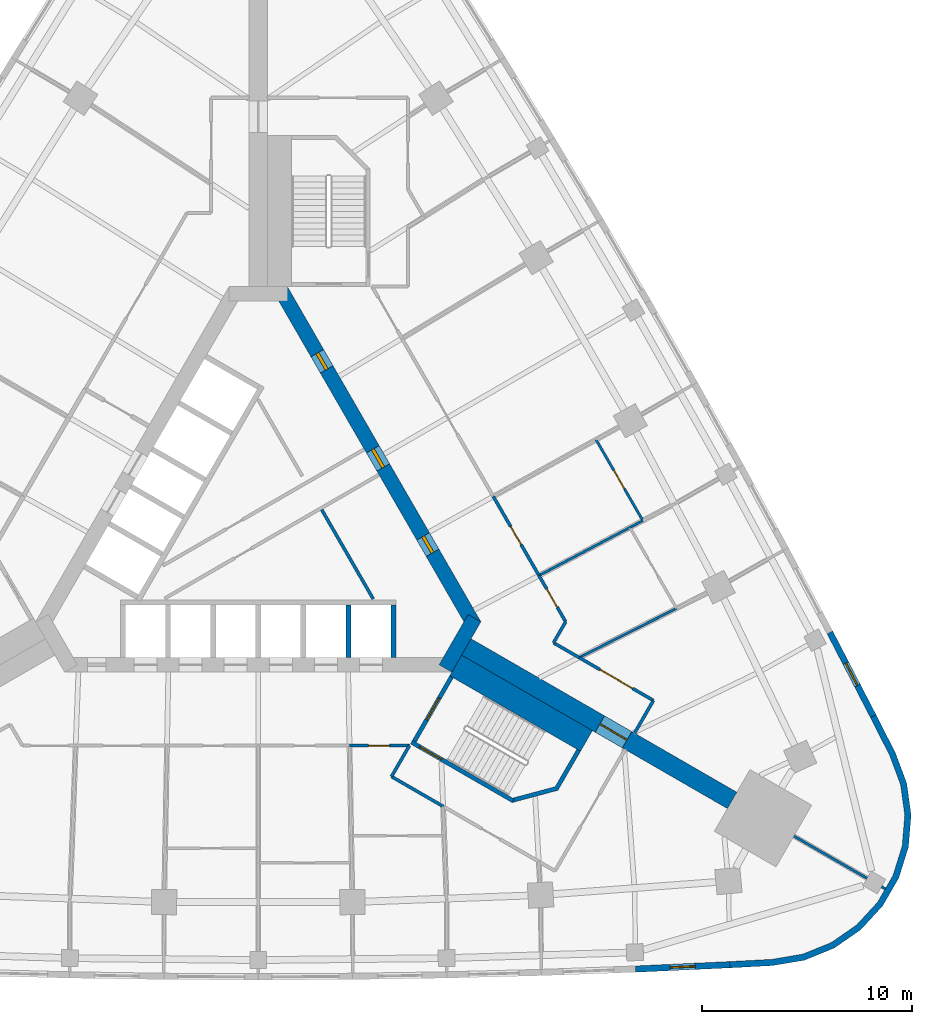
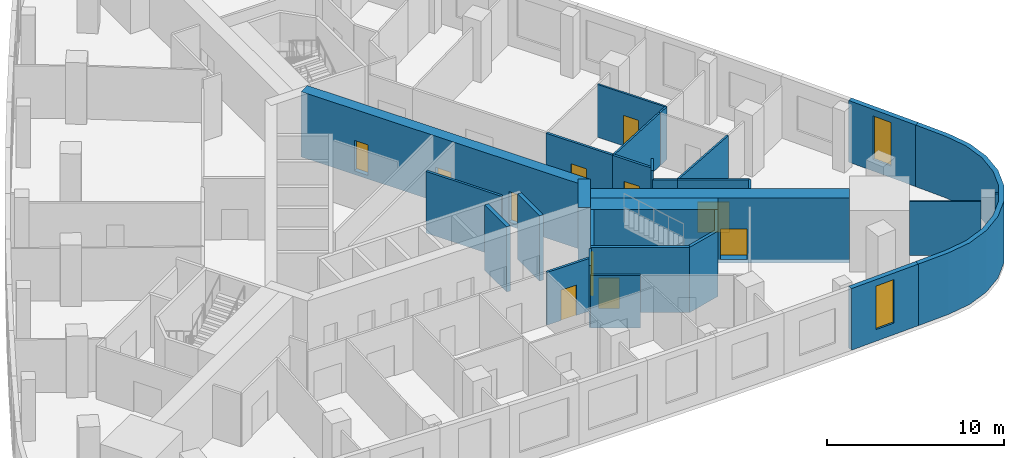
# One storey, part 7 of 11: 28 walls, 11 doors, 2 windows, 13 openings.
"""IFC4 building model written with IfcOpenShell, lengths in metres."""

from ifc_helpers import new_model, si_unit, direction, frame, frame_2d, origin, place, context, subcontext, project, spatial, polyline, rectangle, outline, extrude, material, layer, layer_set, type_object, element, fill, save


model = new_model("IFC4")

# Units and contexts
model_context = context("Model", 3, precision=1e-05, world=origin(), true_north=direction((0.0, 1.0)))
body_context = subcontext(model_context, "Body", "Model", "MODEL_VIEW")
ifc_project = project(units=[si_unit("LENGTHUNIT", "METRE"), si_unit("AREAUNIT", "SQUARE_METRE"), si_unit("VOLUMEUNIT", "CUBIC_METRE"), si_unit("PLANEANGLEUNIT", "RADIAN"), si_unit("MASSUNIT", "GRAM", prefix="KILO")], contexts=[model_context])

# Site, building, storey
site_placement = place(None, origin())
site = spatial("IfcSite", under=ifc_project, at=site_placement, CompositionType="ELEMENT")
building_placement = place(site_placement, origin())
building = spatial("IfcBuilding", under=site, at=building_placement, Name="Noor Cloister Tower", CompositionType="ELEMENT")
storey_placement = place(building_placement, frame((0.0, 0.0, 15.0)))
storey = spatial("IfcBuildingStorey", under=building, at=storey_placement, Name="L03", CompositionType="ELEMENT", Elevation=15.0)

# Wall, opening, door
ifc_material_1 = material(Name="Concrete C80/95", Category="concrete")
ifc_layer_1 = layer(ifc_material_1, 0.89990234375)
ifc_layer_set_1 = layer_set([ifc_layer_1], Name="Buttress wall 900 C80/95")
wall_type_1 = type_object("IfcWallType", Name="Buttress wall 900 C80/95", PredefinedType="SHEAR", material=ifc_layer_set_1)
wall_1_placement = place(storey_placement, frame((9.921630859375, -5.728271484375, -0.25), z_axis=(0.0, 0.0, 1.0), x_axis=(0.866028046028, -0.499995423472, 0.0)))
wall_1 = element("IfcWall", 1, at=wall_1_placement, inside=storey, type_object=wall_type_1, Name="Buttress wall SE L03", PredefinedType="SHEAR", context=body_context, shape_type="SweptSolid", body=[
    extrude(rectangle(XDim=14.632568359375, YDim=0.89990234375, at=frame_2d((7.31640625, 0.0))), origin(), (0.0, 0.0, 1.0), 4.5),
])
opening_1_placement = place(wall_1_placement, frame((7.35009765625, 0.0, 0.25)))
opening_1 = element("IfcOpeningElement", 2, at=opening_1_placement, cuts=wall_1, Name="Opening L03-030", PredefinedType="OPENING", context=body_context, shape_type="SweptSolid", body=[
    extrude(rectangle(XDim=1.5, YDim=2.10009765625, at=frame_2d((0.75, 1.050048828125))), frame((0.0, 0.4599609375, 0.0), z_axis=(0.0, -1.0, 0.0), x_axis=(1.0, 0.0, 0.0)), (0.0, 0.0, 1.0), 0.919921875),
])
ifc_material_2 = material(Name="Steel fire door", Category="steel")
door_type_1 = type_object("IfcDoorType", Name="Smoke barrier door FD60 1500", OperationType="DOUBLE_DOOR_SINGLE_SWING", PredefinedType="DOOR", material=ifc_material_2)
door_1_placement = place(opening_1_placement, origin())
door_1 = element("IfcDoor", 3, at=door_1_placement, inside=storey, type_object=door_type_1, Name="Door L03-030", OperationType="DOUBLE_DOOR_SINGLE_SWING", OverallHeight=2.10009765625, OverallWidth=1.5, PredefinedType="DOOR", context=body_context, shape_type="SweptSolid", body=[
    extrude(rectangle(XDim=1.5, YDim=2.10009765625, at=frame_2d((0.75, 1.050048828125))), frame((0.0, 0.02490234375, 0.0), z_axis=(0.0, -1.0, 0.0), x_axis=(1.0, 0.0, 0.0)), (0.0, 0.0, 1.0), 0.050048828125),
])
fill(opening_1, door_1)

# Walls
ifc_material_3 = material(Name="Concrete C30/37", Category="concrete")
ifc_layer_2 = layer(ifc_material_3, 0.14990234375)
ifc_layer_set_2 = layer_set([ifc_layer_2], Name="Core partition 150 C30/37")
wall_type_2 = type_object("IfcWallType", Name="Core partition 150 C30/37", PredefinedType="PARTITIONING", material=ifc_layer_set_2)
wall_2_placement = place(storey_placement, frame((5.482421875, -3.439208984375, 0.0), z_axis=(0.0, 0.0, 1.0), x_axis=(-0.500006183238, 0.866021833861, 0.0)))
element("IfcWall", 4, at=wall_2_placement, inside=storey, type_object=wall_type_2, Name="Core room partition L03 4", PredefinedType="PARTITIONING", context=body_context, shape_type="SweptSolid", body=[
    extrude(rectangle(XDim=4.916015625, YDim=0.14990234375, at=frame_2d((2.4580078125, 0.0))), origin(), (0.0, 0.0, 1.0), 4.25),
])
ifc_material_4 = material(Name="Concrete C80/95", Category="concrete")
ifc_layer_3 = layer(ifc_material_4, 0.699951171875)
ifc_layer_set_3 = layer_set([ifc_layer_3], Name="Core wall 700 C80/95")
wall_type_3 = type_object("IfcWallType", Name="Core wall 700 C80/95", PredefinedType="SHEAR", material=ifc_layer_set_3)
wall_3_placement = place(storey_placement, frame((8.925537109375, -6.753173828125, -0.25), z_axis=(0.0, 0.0, 1.0), x_axis=(0.500042739161, 0.866000726912, 0.0)))
element("IfcWall", 5, at=wall_3_placement, inside=storey, type_object=wall_type_3, Name="Core wall L03 2", PredefinedType="SHEAR", context=body_context, shape_type="SweptSolid", body=[
    extrude(rectangle(XDim=2.771240234375, YDim=0.699951171875, at=frame_2d((1.3857421875, 0.0))), origin(), (0.0, 0.0, 1.0), 4.5),
])

# Wall, openings, doors
wall_4_placement = place(storey_placement, frame((10.311279296875, -4.703125, -0.25), z_axis=(0.0, 0.0, 1.0), x_axis=(-0.500001446645, 0.866024568562, 0.0)))
wall_4 = element("IfcWall", 6, at=wall_4_placement, inside=storey, type_object=wall_type_3, Name="Core wall L03 3", PredefinedType="SHEAR", context=body_context, shape_type="SweptSolid", body=[
    extrude(rectangle(XDim=18.45751953125, YDim=0.699951171875, at=frame_2d((9.228759765625, 0.0))), origin(), (0.0, 0.0, 1.0), 4.5),
])
opening_2_placement = place(wall_4_placement, frame((8.699951171875, 0.0, 0.25)))
opening_2 = element("IfcOpeningElement", 7, at=opening_2_placement, cuts=wall_4, Name="Opening L03-901", PredefinedType="OPENING", context=body_context, shape_type="SweptSolid", body=[
    extrude(rectangle(XDim=1.0, YDim=2.10009765625, at=frame_2d((0.5, 1.050048828125))), frame((0.0, 0.35986328125, 0.0), z_axis=(0.0, -1.0, 0.0), x_axis=(1.0, 0.0, 0.0)), (0.0, 0.0, 1.0), 0.719970703125),
])
opening_3_placement = place(wall_4_placement, frame((4.001953125, 0.0, 0.25)))
opening_3 = element("IfcOpeningElement", 8, at=opening_3_placement, cuts=wall_4, Name="Opening L03-902", PredefinedType="OPENING", context=body_context, shape_type="SweptSolid", body=[
    extrude(rectangle(XDim=0.89990234375, YDim=2.10009765625, at=frame_2d((0.449951171875, 1.050048828125))), frame((0.0, 0.35986328125, 0.0), z_axis=(0.0, -1.0, 0.0), x_axis=(1.0, 0.0, 0.0)), (0.0, 0.0, 1.0), 0.719970703125),
])
opening_4_placement = place(wall_4_placement, frame((14.093017578125, 0.0, 0.25)))
opening_4 = element("IfcOpeningElement", 9, at=opening_4_placement, cuts=wall_4, Name="Opening L03-903", PredefinedType="OPENING", context=body_context, shape_type="SweptSolid", body=[
    extrude(rectangle(XDim=0.89990234375, YDim=2.10009765625, at=frame_2d((0.449951171875, 1.050048828125))), frame((0.0, 0.35986328125, 0.0), z_axis=(0.0, -1.0, 0.0), x_axis=(1.0, 0.0, 0.0)), (0.0, 0.0, 1.0), 0.719970703125),
])
ifc_material_5 = material(Name="Steel", Category="steel")
door_type_2 = type_object("IfcDoorType", Name="Core door 1000 x 2100 FD120", OperationType="SINGLE_SWING_LEFT", PredefinedType="DOOR", material=ifc_material_5)
door_2_placement = place(opening_2_placement, origin())
door_2 = element("IfcDoor", 10, at=door_2_placement, inside=storey, type_object=door_type_2, Name="Core door 1 L03", OperationType="SINGLE_SWING_LEFT", OverallHeight=2.10009765625, OverallWidth=1.0, PredefinedType="DOOR", context=body_context, shape_type="SweptSolid", body=[
    extrude(rectangle(XDim=1.0, YDim=2.10009765625, at=frame_2d((0.5, 1.050048828125))), frame((0.0, 0.074951171875, 0.0), z_axis=(0.0, -1.0, 0.0), x_axis=(1.0, 0.0, 0.0)), (0.0, 0.0, 1.0), 0.14990234375),
])
fill(opening_2, door_2)
ifc_material_6 = material(Name="Steel", Category="steel")
door_type_3 = type_object("IfcDoorType", Name="Core door 900 x 2100 FD120", OperationType="SINGLE_SWING_LEFT", PredefinedType="DOOR", material=ifc_material_6)
door_3_placement = place(opening_3_placement, origin())
door_3 = element("IfcDoor", 11, at=door_3_placement, inside=storey, type_object=door_type_3, Name="Core door 2 L03", OperationType="SINGLE_SWING_RIGHT", OverallHeight=2.10009765625, OverallWidth=0.89990234375, PredefinedType="DOOR", context=body_context, shape_type="SweptSolid", body=[
    extrude(rectangle(XDim=0.89990234375, YDim=2.10009765625, at=frame_2d((0.449951171875, 1.050048828125))), frame((0.0, 0.074951171875, 0.0), z_axis=(0.0, -1.0, 0.0), x_axis=(1.0, 0.0, 0.0)), (0.0, 0.0, 1.0), 0.14990234375),
])
fill(opening_3, door_3)
door_4_placement = place(opening_4_placement, origin())
door_4 = element("IfcDoor", 12, at=door_4_placement, inside=storey, type_object=door_type_3, Name="Core door 3 L03", OperationType="SINGLE_SWING_LEFT", OverallHeight=2.10009765625, OverallWidth=0.89990234375, PredefinedType="DOOR", context=body_context, shape_type="SweptSolid", body=[
    extrude(rectangle(XDim=0.89990234375, YDim=2.10009765625, at=frame_2d((0.449951171875, 1.050048828125))), frame((0.0, 0.074951171875, 0.0), z_axis=(0.0, -1.0, 0.0), x_axis=(1.0, 0.0, 0.0)), (0.0, 0.0, 1.0), 0.14990234375),
])
fill(opening_4, door_4)

# Walls
ifc_material_7 = material(Name="Plasterboard on steel studs", Category="steel")
ifc_layer_4 = layer(ifc_material_7, 0.14990234375)
ifc_layer_set_4 = layer_set([ifc_layer_4], Name="Corridor wall 150")
wall_type_4 = type_object("IfcWallType", Name="Corridor wall 150", PredefinedType="PARTITIONING", material=ifc_layer_set_4)
wall_5_placement = place(storey_placement, frame((8.81689453125, -13.330078125, 0.0), z_axis=(0.0, 0.0, 1.0), x_axis=(-0.865999736111, 0.50004445508, 0.0)))
element("IfcWall", 13, at=wall_5_placement, inside=storey, type_object=wall_type_4, Name="Partition", PredefinedType="PARTITIONING", context=body_context, shape_type="SweptSolid", body=[
    extrude(rectangle(XDim=2.843994140625, YDim=0.14990234375, at=frame_2d((1.421875, 0.0))), origin(), (0.0, 0.0, 1.0), 3.637939453125),
])
wall_6_placement = place(storey_placement, frame((6.35400390625, -11.906005859375, 0.0), z_axis=(0.0, 0.0, 1.0), x_axis=(0.500539815233, 0.865713516913, 0.0)))
element("IfcWall", 14, at=wall_6_placement, inside=storey, type_object=wall_type_4, Name="Partition", PredefinedType="PARTITIONING", context=body_context, shape_type="SweptSolid", body=[
    extrude(rectangle(XDim=1.7060546875, YDim=0.14990234375, at=frame_2d((0.85302734375, 0.0))), origin(), (0.0, 0.0, 1.0), 4.25),
])

# Wall, opening, door
wall_7_placement = place(storey_placement, frame((7.2080078125, -10.427978515625, 0.0), z_axis=(0.0, 0.0, 1.0), x_axis=(-1.0, 0.0, 0.0)))
wall_7 = element("IfcWall", 15, at=wall_7_placement, inside=storey, type_object=wall_type_4, Name="Partition", PredefinedType="PARTITIONING", context=body_context, shape_type="SweptSolid", body=[
    extrude(rectangle(XDim=2.861083984375, YDim=0.14990234375, at=frame_2d((1.4306640625, 0.0))), origin(), (0.0, 0.0, 1.0), 3.637939453125),
])
opening_5_placement = place(wall_7_placement, frame((0.949951171875, 0.0, 0.0)))
opening_5 = element("IfcOpeningElement", 16, at=opening_5_placement, cuts=wall_7, Name="Opening L03-011", PredefinedType="OPENING", context=body_context, shape_type="SweptSolid", body=[
    extrude(rectangle(XDim=1.0, YDim=2.10009765625, at=frame_2d((0.5, 1.050048828125))), frame((0.0, 0.0849609375, 0.0), z_axis=(0.0, -1.0, 0.0), x_axis=(1.0, 0.0, 0.0)), (0.0, 0.0, 1.0), 0.169921875),
])
ifc_material_8 = material(Name="Timber door leaf", Category="wood")
door_type_4 = type_object("IfcDoorType", Name="Clinic room door 1000", OperationType="SINGLE_SWING_LEFT", PredefinedType="DOOR", material=ifc_material_8)
door_5_placement = place(opening_5_placement, origin())
door_5 = element("IfcDoor", 17, at=door_5_placement, inside=storey, type_object=door_type_4, Name="Door L03-011", OperationType="SINGLE_SWING_RIGHT", OverallHeight=2.10009765625, OverallWidth=1.0, PredefinedType="DOOR", context=body_context, shape_type="SweptSolid", body=[
    extrude(rectangle(XDim=1.0, YDim=2.10009765625, at=frame_2d((0.5, 1.050048828125))), frame((0.0, 0.02490234375, 0.0), z_axis=(0.0, -1.0, 0.0), x_axis=(1.0, 0.0, 0.0)), (0.0, 0.0, 1.0), 0.050048828125),
])
fill(opening_5, door_5)

wall_8_placement = place(storey_placement, frame((15.294921875, -6.23193359375, 0.0), z_axis=(0.0, 0.0, 1.0), x_axis=(0.865991915229, -0.500057999394, 0.0)))
wall_8 = element("IfcWall", 18, at=wall_8_placement, inside=storey, type_object=wall_type_4, Name="Partition", PredefinedType="PARTITIONING", context=body_context, shape_type="SweptSolid", body=[
    extrude(rectangle(XDim=4.09375, YDim=0.14990234375, at=frame_2d((2.046875, 0.0))), origin(), (0.0, 0.0, 1.0), 3.637939453125),
])
opening_6_placement = place(wall_8_placement, frame((1.14990234375, 0.0, 0.0)))
opening_6 = element("IfcOpeningElement", 19, at=opening_6_placement, cuts=wall_8, Name="Opening L03-013", PredefinedType="OPENING", context=body_context, shape_type="SweptSolid", body=[
    extrude(rectangle(XDim=1.800048828125, YDim=2.10009765625, at=frame_2d((0.89990234375, 1.050048828125))), frame((0.0, 0.0849609375, 0.0), z_axis=(0.0, -1.0, 0.0), x_axis=(1.0, 0.0, 0.0)), (0.0, 0.0, 1.0), 0.169921875),
])
ifc_material_9 = material(Name="Timber door leaf", Category="wood")
door_type_5 = type_object("IfcDoorType", Name="Double leaf door 1800", OperationType="DOUBLE_DOOR_SINGLE_SWING", PredefinedType="DOOR", material=ifc_material_9)
door_6_placement = place(opening_6_placement, origin())
door_6 = element("IfcDoor", 20, at=door_6_placement, inside=storey, type_object=door_type_5, Name="Door L03-013", OperationType="DOUBLE_DOOR_SINGLE_SWING", OverallHeight=2.10009765625, OverallWidth=1.800048828125, PredefinedType="DOOR", context=body_context, shape_type="SweptSolid", body=[
    extrude(rectangle(XDim=1.800048828125, YDim=2.10009765625, at=frame_2d((0.89990234375, 1.050048828125))), frame((0.0, 0.02490234375, 0.0), z_axis=(0.0, -1.0, 0.0), x_axis=(1.0, 0.0, 0.0)), (0.0, 0.0, 1.0), 0.050048828125),
])
fill(opening_6, door_6)

# Wall
wall_9_placement = place(storey_placement, frame((18.840087890625, -8.281005859375, 0.0), z_axis=(0.0, 0.0, 1.0), x_axis=(-0.500126010714, -0.86595263924, 0.0)))
element("IfcWall", 21, at=wall_9_placement, inside=storey, type_object=wall_type_4, Name="Partition", PredefinedType="PARTITIONING", context=body_context, shape_type="SweptSolid", body=[
    extrude(rectangle(XDim=1.7978515625, YDim=0.14990234375, at=frame_2d((0.89892578125, 0.0))), origin(), (0.0, 0.0, 1.0), 3.637939453125),
])

# Wall, opening, door
wall_10_placement = place(storey_placement, frame((13.383056640625, -2.321044921875, 0.0), z_axis=(0.0, 0.0, 1.0), x_axis=(0.499788837842, -0.866147283993, 0.0)))
wall_10 = element("IfcWall", 22, at=wall_10_placement, inside=storey, type_object=wall_type_4, Name="Partition", PredefinedType="PARTITIONING", context=body_context, shape_type="SweptSolid", body=[
    extrude(rectangle(XDim=2.546875, YDim=0.14990234375, at=frame_2d((1.2734375, 0.0))), origin(), (0.0, 0.0, 1.0), 3.637939453125),
])
opening_7_placement = place(wall_10_placement, frame((0.75, 0.0, 0.0)))
opening_7 = element("IfcOpeningElement", 23, at=opening_7_placement, cuts=wall_10, Name="Opening L03-014", PredefinedType="OPENING", context=body_context, shape_type="SweptSolid", body=[
    extrude(rectangle(XDim=1.0, YDim=2.10009765625, at=frame_2d((0.5, 1.050048828125))), frame((0.0, 0.0849609375, 0.0), z_axis=(0.0, -1.0, 0.0), x_axis=(1.0, 0.0, 0.0)), (0.0, 0.0, 1.0), 0.169921875),
])
door_7_placement = place(opening_7_placement, origin())
door_7 = element("IfcDoor", 24, at=door_7_placement, inside=storey, type_object=door_type_4, Name="Door L03-014", OperationType="SINGLE_SWING_LEFT", OverallHeight=2.10009765625, OverallWidth=1.0, PredefinedType="DOOR", context=body_context, shape_type="SweptSolid", body=[
    extrude(rectangle(XDim=1.0, YDim=2.10009765625, at=frame_2d((0.5, 1.050048828125))), frame((0.0, 0.02490234375, 0.0), z_axis=(0.0, -1.0, 0.0), x_axis=(1.0, 0.0, 0.0)), (0.0, 0.0, 1.0), 0.050048828125),
])
fill(opening_7, door_7)

# Walls
wall_11_placement = place(storey_placement, frame((14.656005859375, -4.529052734375, 0.0), z_axis=(0.0, 0.0, 1.0), x_axis=(-0.500502949238, -0.865734831114, 0.0)))
element("IfcWall", 25, at=wall_11_placement, inside=storey, type_object=wall_type_4, Name="Partition", PredefinedType="PARTITIONING", context=body_context, shape_type="SweptSolid", body=[
    extrude(rectangle(XDim=1.155029296875, YDim=0.14990234375, at=frame_2d((0.57763671875, 0.0))), origin(), (0.0, 0.0, 1.0), 4.25),
])
wall_12_placement = place(storey_placement, frame((14.077880859375, -5.529052734375, 0.0), z_axis=(0.0, 0.0, 1.0), x_axis=(0.865984561414, -0.500070734389, 0.0)))
element("IfcWall", 26, at=wall_12_placement, inside=storey, type_object=wall_type_4, Name="Partition", PredefinedType="PARTITIONING", context=body_context, shape_type="SweptSolid", body=[
    extrude(rectangle(XDim=1.415771484375, YDim=0.14990234375, at=frame_2d((0.7080078125, 0.0))), origin(), (0.0, 0.0, 1.0), 3.637939453125),
])

# Wall, opening, door
wall_13_placement = place(storey_placement, frame((11.2080078125, 1.446044921875, 0.0), z_axis=(0.0, 0.0, 1.0), x_axis=(0.49994237214, -0.866058672688, 0.0)))
wall_13 = element("IfcWall", 27, at=wall_13_placement, inside=storey, type_object=wall_type_4, Name="Partition", PredefinedType="PARTITIONING", context=body_context, shape_type="SweptSolid", body=[
    extrude(rectangle(XDim=4.3564453125, YDim=0.14990234375, at=frame_2d((2.17822265625, 0.0))), origin(), (0.0, 0.0, 1.0), 3.637939453125),
])
opening_8_placement = place(wall_13_placement, frame((1.64990234375, 0.0, 0.0)))
opening_8 = element("IfcOpeningElement", 28, at=opening_8_placement, cuts=wall_13, Name="Opening L03-016", PredefinedType="OPENING", context=body_context, shape_type="SweptSolid", body=[
    extrude(rectangle(XDim=1.0, YDim=2.10009765625, at=frame_2d((0.5, 1.050048828125))), frame((0.0, 0.0849609375, 0.0), z_axis=(0.0, -1.0, 0.0), x_axis=(1.0, 0.0, 0.0)), (0.0, 0.0, 1.0), 0.169921875),
])
door_8_placement = place(opening_8_placement, origin())
door_8 = element("IfcDoor", 29, at=door_8_placement, inside=storey, type_object=door_type_4, Name="Door L03-016", OperationType="SINGLE_SWING_LEFT", OverallHeight=2.10009765625, OverallWidth=1.0, PredefinedType="DOOR", context=body_context, shape_type="SweptSolid", body=[
    extrude(rectangle(XDim=1.0, YDim=2.10009765625, at=frame_2d((0.5, 1.050048828125))), frame((0.0, 0.02490234375, 0.0), z_axis=(0.0, -1.0, 0.0), x_axis=(1.0, 0.0, 0.0)), (0.0, 0.0, 1.0), 0.050048828125),
])
fill(opening_8, door_8)

# Wall
ifc_material_10 = material(Name="Limestone", Category="masonry")
ifc_layer_5 = layer(ifc_material_10, 0.300048828125)
ifc_layer_set_5 = layer_set([ifc_layer_5], Name="Limestone cladding 300")
wall_type_5 = type_object("IfcWallType", Name="Limestone cladding 300", PredefinedType="NOTDEFINED", material=ifc_layer_set_5)
wall_14_placement = place(storey_placement, origin())
element("IfcWall", 30, at=wall_14_placement, inside=storey, type_object=wall_type_5, Name="Limestone pier cladding L03 2.1", PredefinedType="NOTDEFINED", context=body_context, shape_type="SweptSolid", body=[
    extrude(outline(polyline([(22.490234375, -21.02978515625), (24.52197265625, -20.920654296875), (26.03955078125, -20.666259765625), (27.46484375, -20.086181640625), (28.72900390625, -19.208984375), (29.77099609375, -18.07666015625), (30.540283203125, -16.744140625), (31.0, -15.275634765625), (31.127685546875, -13.7421875), (30.917236328125, -12.2177734375), (30.378662109375, -10.7763671875), (29.457275390625, -8.962158203125), (29.18994140625, -9.097900390625), (30.103515625, -10.89697265625), (30.62451171875, -12.291748046875), (30.825927734375, -13.750244140625), (30.70361328125, -15.217529296875), (30.263916015625, -16.622802734375), (29.52783203125, -17.89794921875), (28.53076171875, -18.9814453125), (27.321044921875, -19.82080078125), (25.95703125, -20.375732421875), (24.489013671875, -20.621826171875), (22.47412109375, -20.730224609375), (22.490234375, -21.02978515625)])), origin(), (0.0, 0.0, 1.0), 4.25),
])

# Wall, opening, window
ifc_material_11 = material(Name="Limestone", Category="masonry")
ifc_layer_6 = layer(ifc_material_11, 0.300048828125)
ifc_layer_set_6 = layer_set([ifc_layer_6], Name="Limestone panel wall 300")
wall_type_6 = type_object("IfcWallType", Name="Limestone panel wall 300", PredefinedType="NOTDEFINED", material=ifc_layer_set_6)
wall_15_placement = place(storey_placement, frame((22.481201171875, -20.8798828125, 0.0), z_axis=(0.0, 0.0, 1.0), x_axis=(-0.998931717866, -0.046210637742, 0.0)))
wall_15 = element("IfcWall", 31, at=wall_15_placement, inside=storey, type_object=wall_type_6, Name="Limestone wall L03 S 10", PredefinedType="NOTDEFINED", context=body_context, shape_type="SweptSolid", body=[
    extrude(rectangle(XDim=4.49609375, YDim=0.300048828125, at=frame_2d((2.248046875, 0.0))), origin(), (0.0, 0.0, 1.0), 4.25),
])
opening_9_placement = place(wall_15_placement, frame((1.64794921875, 0.0, 0.800048828125)))
opening_9 = element("IfcOpeningElement", 32, at=opening_9_placement, cuts=wall_15, Name="Opening L03-W20", PredefinedType="OPENING", context=body_context, shape_type="SweptSolid", body=[
    extrude(rectangle(XDim=1.199951171875, YDim=3.0, at=frame_2d((0.60009765625, 1.5))), frame((0.0, 0.16015625, 0.0), z_axis=(0.0, -1.0, 0.0), x_axis=(1.0, 0.0, 0.0)), (0.0, 0.0, 1.0), 0.320068359375),
])
ifc_material_12 = material(Name="Aluminium 6063-T6 anodised", Category="aluminium")
window_type = type_object("IfcWindowType", Name="Lancet window 1200 x 3000", PartitioningType="SINGLE_PANEL", PredefinedType="WINDOW", material=ifc_material_12)
window_1_placement = place(opening_9_placement, origin())
window_1 = element("IfcWindow", 33, at=window_1_placement, inside=storey, type_object=window_type, Name="Window L03 20", OverallHeight=3.0, OverallWidth=1.199951171875, PartitioningType="SINGLE_PANEL", PredefinedType="WINDOW", context=body_context, shape_type="SweptSolid", body=[
    extrude(rectangle(XDim=1.199951171875, YDim=3.0, at=frame_2d((0.60009765625, 1.5))), frame((0.0, 0.030029296875, 0.0), z_axis=(0.0, -1.0, 0.0), x_axis=(1.0, 0.0, 0.0)), (0.0, 0.0, 1.0), 0.06005859375),
])
fill(opening_9, window_1)

wall_16_placement = place(storey_placement, frame((27.257568359375, -5.035888671875, 0.0), z_axis=(0.0, 0.0, 1.0), x_axis=(0.459443600121, -0.888206945654, 0.0)))
wall_16 = element("IfcWall", 34, at=wall_16_placement, inside=storey, type_object=wall_type_6, Name="Limestone wall L03 NE 1", PredefinedType="NOTDEFINED", context=body_context, shape_type="SweptSolid", body=[
    extrude(rectangle(XDim=4.49609375, YDim=0.300048828125, at=frame_2d((2.248046875, 0.0))), origin(), (0.0, 0.0, 1.0), 4.25),
])
opening_10_placement = place(wall_16_placement, frame((1.64794921875, 0.0, 0.800048828125)))
opening_10 = element("IfcOpeningElement", 35, at=opening_10_placement, cuts=wall_16, Name="Opening L03-W21", PredefinedType="OPENING", context=body_context, shape_type="SweptSolid", body=[
    extrude(rectangle(XDim=1.199951171875, YDim=3.0, at=frame_2d((0.60009765625, 1.5))), frame((0.0, 0.16015625, 0.0), z_axis=(0.0, -1.0, 0.0), x_axis=(1.0, 0.0, 0.0)), (0.0, 0.0, 1.0), 0.320068359375),
])
window_2_placement = place(opening_10_placement, origin())
window_2 = element("IfcWindow", 36, at=window_2_placement, inside=storey, type_object=window_type, Name="Window L03 21", OverallHeight=3.0, OverallWidth=1.199951171875, PartitioningType="SINGLE_PANEL", PredefinedType="WINDOW", context=body_context, shape_type="SweptSolid", body=[
    extrude(rectangle(XDim=1.199951171875, YDim=3.0, at=frame_2d((0.60009765625, 1.5))), frame((0.0, 0.030029296875, 0.0), z_axis=(0.0, -1.0, 0.0), x_axis=(1.0, 0.0, 0.0)), (0.0, 0.0, 1.0), 0.06005859375),
])
fill(opening_10, window_2)

# Walls
ifc_material_13 = material(Name="Plasterboard on steel studs", Category="steel")
ifc_layer_7 = layer(ifc_material_13, 0.1201171875)
ifc_layer_set_7 = layer_set([ifc_layer_7], Name="Partition wall 120")
wall_type_7 = type_object("IfcWallType", Name="Partition wall 120", PredefinedType="PARTITIONING", material=ifc_layer_set_7)
wall_17_placement = place(storey_placement, frame((29.02294921875, -16.757080078125, 0.0), z_axis=(0.0, 0.0, 1.0), x_axis=(-0.866027971625, 0.499995552344, 0.0)))
element("IfcWall", 37, at=wall_17_placement, inside=storey, type_object=wall_type_7, Name="Partition", PredefinedType="PARTITIONING", context=body_context, shape_type="SweptSolid", body=[
    extrude(rectangle(XDim=4.02392578125, YDim=0.1201171875, at=frame_2d((2.011962890625, 0.0))), origin(), (0.0, 0.0, 1.0), 3.717041015625),
])
wall_18_placement = place(storey_placement, frame((29.89599609375, -17.260986328125, 0.0), z_axis=(0.0, 0.0, 1.0), x_axis=(-0.865774595023, 0.500434162116, 0.0)))
element("IfcWall", 38, at=wall_18_placement, inside=storey, type_object=wall_type_7, Name="Partition", PredefinedType="PARTITIONING", context=body_context, shape_type="SweptSolid", body=[
    extrude(rectangle(XDim=0.207763671875, YDim=0.1201171875, at=frame_2d((0.10400390625, 0.0))), origin(), (0.0, 0.0, 1.0), 4.25),
])
wall_19_placement = place(storey_placement, frame((19.94189453125, -3.887939453125, 0.0), z_axis=(0.0, 0.0, 1.0), x_axis=(-0.89243804137, -0.451169970539, 0.0)))
element("IfcWall", 39, at=wall_19_placement, inside=storey, type_object=wall_type_7, Name="Partition", PredefinedType="PARTITIONING", context=body_context, shape_type="SweptSolid", body=[
    extrude(rectangle(XDim=5.202392578125, YDim=0.1201171875, at=frame_2d((2.60107421875, 0.0))), origin(), (0.0, 0.0, 1.0), 3.637939453125),
])
wall_20_placement = place(storey_placement, frame((17.717041015625, -0.033935546875, 0.0), z_axis=(0.0, 0.0, 1.0), x_axis=(-0.884117284138, -0.467265051003, 0.0)))
element("IfcWall", 40, at=wall_20_placement, inside=storey, type_object=wall_type_7, Name="Partition", PredefinedType="PARTITIONING", context=body_context, shape_type="SweptSolid", body=[
    extrude(rectangle(XDim=4.90087890625, YDim=0.1201171875, at=frame_2d((2.450439453125, 0.0))), origin(), (0.0, 0.0, 1.0), 3.637939453125),
])
wall_21_placement = place(storey_placement, frame((18.3359375, 0.2939453125, 0.0), z_axis=(0.0, 0.0, 1.0), x_axis=(-0.883890154601, -0.467694552672, 0.0)))
element("IfcWall", 41, at=wall_21_placement, inside=storey, type_object=wall_type_7, Name="Partition", PredefinedType="PARTITIONING", context=body_context, shape_type="SweptSolid", body=[
    extrude(rectangle(XDim=0.69677734375, YDim=0.1201171875, at=frame_2d((0.348388671875, 0.0))), origin(), (0.0, 0.0, 1.0), 3.637939453125),
])

# Wall, opening, door
wall_22_placement = place(storey_placement, frame((18.3359375, 0.294921875, 0.0), z_axis=(0.0, 0.0, 1.0), x_axis=(-0.499992780121, 0.866029572143, 0.0)))
wall_22 = element("IfcWall", 42, at=wall_22_placement, inside=storey, type_object=wall_type_7, Name="Partition", PredefinedType="PARTITIONING", context=body_context, shape_type="SweptSolid", body=[
    extrude(rectangle(XDim=4.4560546875, YDim=0.1201171875, at=frame_2d((2.22802734375, 0.0))), origin(), (0.0, 0.0, 1.0), 3.637939453125),
])
opening_11_placement = place(wall_22_placement, frame((1.75, 0.0, 0.0)))
opening_11 = element("IfcOpeningElement", 43, at=opening_11_placement, cuts=wall_22, Name="Opening L03-018", PredefinedType="OPENING", context=body_context, shape_type="SweptSolid", body=[
    extrude(rectangle(XDim=1.0, YDim=2.10009765625, at=frame_2d((0.5, 1.050048828125))), frame((0.0, 0.070068359375, 0.0), z_axis=(0.0, -1.0, 0.0), x_axis=(1.0, 0.0, 0.0)), (0.0, 0.0, 1.0), 0.14013671875),
])
door_9_placement = place(opening_11_placement, origin())
door_9 = element("IfcDoor", 44, at=door_9_placement, inside=storey, type_object=door_type_4, Name="Door L03-018", OperationType="SINGLE_SWING_LEFT", OverallHeight=2.10009765625, OverallWidth=1.0, PredefinedType="DOOR", context=body_context, shape_type="SweptSolid", body=[
    extrude(rectangle(XDim=1.0, YDim=2.10009765625, at=frame_2d((0.5, 1.050048828125))), frame((0.0, 0.02490234375, 0.0), z_axis=(0.0, -1.0, 0.0), x_axis=(1.0, 0.0, 0.0)), (0.0, 0.0, 1.0), 0.050048828125),
])
fill(opening_11, door_9)

# Walls
ifc_material_14 = material(Name="Concrete C80/95", Category="concrete")
ifc_layer_8 = layer(ifc_material_14, 0.25)
ifc_layer_set_8 = layer_set([ifc_layer_8], Name="Shaft wall 250 C80/95")
wall_type_8 = type_object("IfcWallType", Name="Shaft wall 250 C80/95", PredefinedType="PARTITIONING", material=ifc_layer_set_8)
for number, where, z_axis, x_axis, name in (
    (45, (4.300048828125, -6.228271484375, -0.25), (0.0, 0.0, 1.0), (0.0, 1.0, 0.0), "Lift shaft wall L03 S 6"),
    (46, (6.449951171875, -6.228271484375, -0.25), (0.0, 0.0, 1.0), (0.0, 1.0, 0.0), "Lift shaft wall L03 S 7"),
):
    element("IfcWall", number, at=place(storey_placement, frame(where, z_axis=z_axis, x_axis=x_axis)), inside=storey, type_object=wall_type_8, Name=name, PredefinedType="PARTITIONING", context=body_context, shape_type="SweptSolid", body=[
        extrude(rectangle(XDim=2.5, YDim=0.25, at=frame_2d((1.25, 0.0))), origin(), (0.0, 0.0, 1.0), 4.5),
    ])
ifc_material_15 = material(Name="Concrete C80/95", Category="concrete")
ifc_layer_9 = layer(ifc_material_15, 1.135986328125)
ifc_layer_set_9 = layer_set([ifc_layer_9], Name="Stair enclosure wall 1136 C80/95")
wall_type_9 = type_object("IfcWallType", Name="Stair enclosure wall 1136 C80/95", PredefinedType="SHEAR", material=ifc_layer_set_9)
wall_23_placement = place(storey_placement, frame((9.41259765625, -6.609619140625, -0.25), z_axis=(0.0, 0.0, 1.0), x_axis=(0.866018442252, -0.500012057535, 0.0)))
element("IfcWall", 47, at=wall_23_placement, inside=storey, type_object=wall_type_9, Name="Stair enclosure wall ST3 L03 riser side", PredefinedType="SHEAR", context=body_context, shape_type="SweptSolid", body=[
    extrude(rectangle(XDim=7.199951171875, YDim=1.1357421875, at=frame_2d((3.60009765625, 0.0))), origin(), (0.0, 0.0, 1.0), 4.5),
])

# Wall, opening, door
ifc_material_16 = material(Name="Concrete C80/95", Category="concrete")
ifc_layer_10 = layer(ifc_material_16, 0.199951171875)
ifc_layer_set_10 = layer_set([ifc_layer_10], Name="Stair enclosure wall 200 C80/95")
wall_type_10 = type_object("IfcWallType", Name="Stair enclosure wall 200 C80/95", PredefinedType="SHEAR", material=ifc_layer_set_10)
wall_24_placement = place(storey_placement, frame((7.440185546875, -10.225830078125, -0.25), z_axis=(0.0, 0.0, 1.0), x_axis=(0.500022077904, 0.866012656725, 0.0)))
wall_24 = element("IfcWall", 48, at=wall_24_placement, inside=storey, type_object=wall_type_10, Name="Stair enclosure wall ST3 L03 near end", PredefinedType="SHEAR", context=body_context, shape_type="SweptSolid", body=[
    extrude(rectangle(XDim=3.550048828125, YDim=0.199951171875, at=frame_2d((1.77490234375, 0.0))), origin(), (0.0, 0.0, 1.0), 4.5),
])
opening_12_placement = place(wall_24_placement, frame((1.175048828125, 0.0, 0.25)))
opening_12 = element("IfcOpeningElement", 49, at=opening_12_placement, cuts=wall_24, Name="Opening L03-ST3L", PredefinedType="OPENING", context=body_context, shape_type="SweptSolid", body=[
    extrude(rectangle(XDim=1.199951171875, YDim=2.10009765625, at=frame_2d((0.60009765625, 1.050048828125))), frame((0.0, 0.10986328125, 0.0), z_axis=(0.0, -1.0, 0.0), x_axis=(1.0, 0.0, 0.0)), (0.0, 0.0, 1.0), 0.219970703125),
])
ifc_material_17 = material(Name="Steel", Category="steel")
door_type_6 = type_object("IfcDoorType", Name="Stair door 1200 x 2100 FD120", OperationType="SINGLE_SWING_LEFT", PredefinedType="DOOR", material=ifc_material_17)
door_10_placement = place(opening_12_placement, origin())
door_10 = element("IfcDoor", 50, at=door_10_placement, inside=storey, type_object=door_type_6, Name="Stair door ST3 L03", OperationType="SINGLE_SWING_RIGHT", OverallHeight=2.10009765625, OverallWidth=1.199951171875, PredefinedType="DOOR", context=body_context, shape_type="SweptSolid", body=[
    extrude(rectangle(XDim=1.199951171875, YDim=2.10009765625, at=frame_2d((0.60009765625, 1.050048828125))), frame((0.0, 0.02490234375, 0.0), z_axis=(0.0, -1.0, 0.0), x_axis=(1.0, 0.0, 0.0)), (0.0, 0.0, 1.0), 0.050048828125),
])
fill(opening_12, door_10)

wall_25_placement = place(storey_placement, frame((7.3037109375, -10.262451171875, -0.25), z_axis=(0.0, 0.0, 1.0), x_axis=(0.866026594901, -0.49999793692, 0.0)))
wall_25 = element("IfcWall", 51, at=wall_25_placement, inside=storey, type_object=wall_type_10, Name="Stair enclosure wall ST3 L03 outer side", PredefinedType="SHEAR", context=body_context, shape_type="SweptSolid", body=[
    extrude(rectangle(XDim=5.60009765625, YDim=0.199951171875, at=frame_2d((2.800048828125, 0.0))), origin(), (0.0, 0.0, 1.0), 4.5),
])
opening_13_placement = place(wall_25_placement, frame((0.449951171875, 0.0, 0.25)))
opening_13 = element("IfcOpeningElement", 52, at=opening_13_placement, cuts=wall_25, Name="Opening L03-ST3C", PredefinedType="OPENING", context=body_context, shape_type="SweptSolid", body=[
    extrude(rectangle(XDim=1.199951171875, YDim=2.10009765625, at=frame_2d((0.60009765625, 1.050048828125))), frame((0.0, 0.10986328125, 0.0), z_axis=(0.0, -1.0, 0.0), x_axis=(1.0, 0.0, 0.0)), (0.0, 0.0, 1.0), 0.219970703125),
])
door_11_placement = place(opening_13_placement, origin())
door_11 = element("IfcDoor", 53, at=door_11_placement, inside=storey, type_object=door_type_6, Name="Stair door ST3 L03", OperationType="SINGLE_SWING_LEFT", OverallHeight=2.10009765625, OverallWidth=1.199951171875, PredefinedType="DOOR", context=body_context, shape_type="SweptSolid", body=[
    extrude(rectangle(XDim=1.199951171875, YDim=2.10009765625, at=frame_2d((0.60009765625, 1.050048828125))), frame((0.0, 0.02490234375, 0.0), z_axis=(0.0, -1.0, 0.0), x_axis=(1.0, 0.0, 0.0)), (0.0, 0.0, 1.0), 0.050048828125),
])
fill(opening_13, door_11)

# Wall
ifc_material_18 = material(Name="Concrete C80/95", Category="concrete")
wall_type_11 = type_object("IfcWallType", Name="Stair far end wall C80/95", PredefinedType="SHEAR", material=ifc_material_18)
wall_26_placement = place(storey_placement, frame((0.0, 0.0, -0.25)))
element("IfcWall", 54, at=wall_26_placement, inside=storey, type_object=wall_type_11, Name="Stair enclosure wall ST3 L03 far end", PredefinedType="SHEAR", context=body_context, shape_type="SweptSolid", body=[
    extrude(outline(polyline([(12.103515625, -13.14892578125), (14.2890625, -12.5634765625), (15.364013671875, -10.701416015625), (15.19091796875, -10.601318359375), (14.1572265625, -12.3916015625), (12.131591796875, -12.934326171875), (12.20361328125, -12.975830078125), (12.20361328125, -12.975830078125), (12.20361328125, -12.975830078125), (12.20361328125, -12.975830078125), (12.20361328125, -12.975830078125), (12.20361328125, -12.975830078125), (12.20361328125, -12.975830078125), (12.20361328125, -12.975830078125), (12.20361328125, -12.975830078125), (12.20361328125, -12.975830078125), (12.20361328125, -12.975830078125), (12.20361328125, -12.975830078125), (12.20361328125, -12.975830078125), (12.20361328125, -12.975830078125), (12.20361328125, -12.975830078125), (12.20361328125, -12.975830078125), (12.20361328125, -12.975830078125), (12.103515625, -13.14892578125)])), origin(), (0.0, 0.0, 1.0), 4.5),
])

save(model, "model.ifc")
